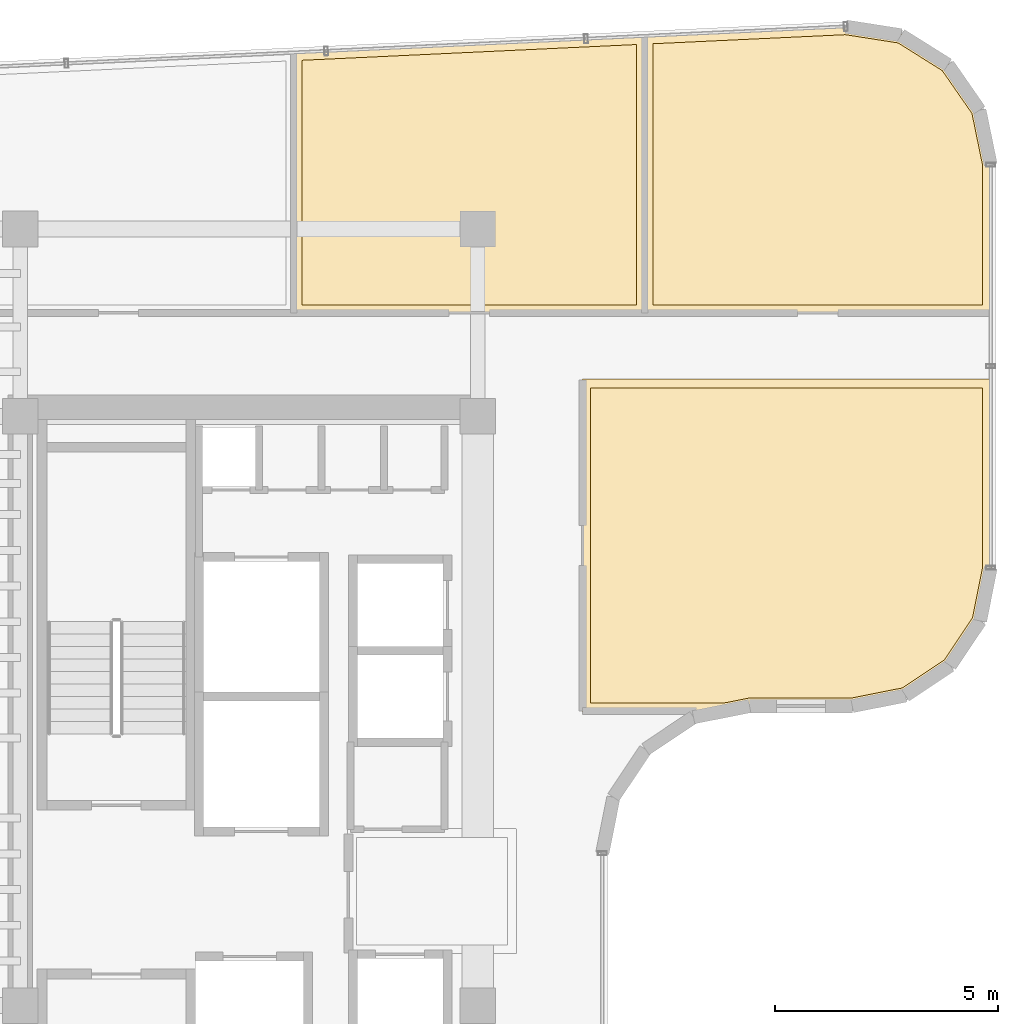
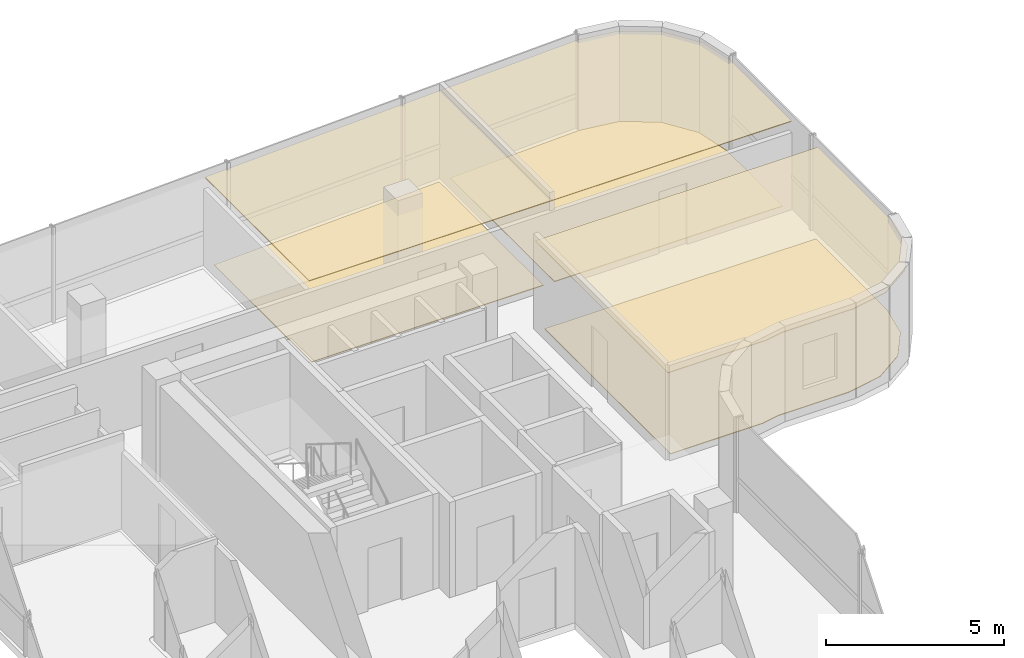
# One storey, part 21 of 21: 6 coverings.
"""IFC4 building model written with IfcOpenShell, lengths in metres."""

from ifc_helpers import new_model, si_unit, direction, frame, origin, place, context, subcontext, project, spatial, polyline, outline, extrude, material, layer, layer_set, type_object, element, save


model = new_model("IFC4")

# Units and contexts
model_context = context("Model", 3, precision=1e-05, world=origin(), true_north=direction((0.0, 1.0)))
body_context = subcontext(model_context, "Body", "Model", "MODEL_VIEW")
ifc_project = project(units=[si_unit("LENGTHUNIT", "METRE"), si_unit("AREAUNIT", "SQUARE_METRE"), si_unit("VOLUMEUNIT", "CUBIC_METRE"), si_unit("PLANEANGLEUNIT", "RADIAN"), si_unit("MASSUNIT", "GRAM", prefix="KILO")], contexts=[model_context])

# Site, building, storey
site_placement = place(None, origin())
site = spatial("IfcSite", under=ifc_project, at=site_placement, CompositionType="ELEMENT")
building_placement = place(site_placement, origin())
building = spatial("IfcBuilding", under=site, at=building_placement, Name="Valdorenza Pilgrim Sanctuary Tower", CompositionType="ELEMENT")
storey_placement = place(building_placement, frame((0.0, 0.0, 258.0)))
storey = spatial("IfcBuildingStorey", under=building, at=storey_placement, Name="L67", CompositionType="ELEMENT", Elevation=258.0)

# Coverings
ifc_material_1 = material(Name="Micro-perforated acoustic mineral ceiling tile", Category="gypsum")
ifc_layer_1 = layer(ifc_material_1, 0.02490234375, Name="Micro-perforated acoustic mineral ceiling tile")
ifc_layer_set_1 = layer_set([ifc_layer_1], Name="Micro-perforated acoustic mineral ceiling tile")
covering_type_1 = type_object("IfcCoveringType", Name="COV-CLG-ACU", PredefinedType="CEILING", material=ifc_layer_set_1)
covering_1_placement = place(storey_placement, frame((0.0, 0.0, 2.9599609375)))
element("IfcCovering", 1, at=covering_1_placement, inside=storey, type_object=covering_type_1, Name="L67 Sanctuary Administration Office L67-N3 Acoustic Ceiling", PredefinedType="CEILING", context=body_context, shape_type="SweptSolid", body=[
    extrude(outline(polyline([(-16.532958984375, 18.748779296875), (-16.532958984375, 18.749755859375), (-16.53271484375, 18.751220703125), (-16.53271484375, 18.752685546875), (-16.531982421875, 18.75390625), (-16.531494140625, 18.75537109375), (-16.531005859375, 18.756591796875), (-16.530029296875, 18.7578125), (-16.529052734375, 18.759033203125), (-16.528076171875, 18.760009765625), (-16.52685546875, 18.760986328125), (-16.525634765625, 18.76171875), (-16.5244140625, 18.762451171875), (-16.52294921875, 18.76318359375), (-16.521484375, 18.763427734375), (-16.520263671875, 18.763916015625), (-16.518798828125, 18.763916015625), (-8.66064453125, 19.134521484375), (-8.6591796875, 19.134521484375), (-8.65771484375, 19.13427734375), (-8.65625, 19.1337890625), (-8.65478515625, 19.133544921875), (-8.6533203125, 19.1328125), (-8.652099609375, 19.132080078125), (-8.65087890625, 19.131103515625), (-8.649658203125, 19.13037109375), (-8.648681640625, 19.129150390625), (-8.647705078125, 19.1279296875), (-8.64697265625, 19.126708984375), (-8.646240234375, 19.125244140625), (-8.645751953125, 19.123779296875), (-8.645263671875, 19.122314453125), (-8.64501953125, 19.120849609375), (-8.64501953125, 19.119384765625), (-8.64501953125, 12.919921875), (-8.64501953125, 12.91845703125), (-8.645263671875, 12.9169921875), (-8.6455078125, 12.91552734375), (-8.64599609375, 12.914306640625), (-8.646728515625, 12.912841796875), (-8.6474609375, 12.91162109375), (-8.6484375, 12.910400390625), (-8.6494140625, 12.909423828125), (-8.650390625, 12.908447265625), (-8.651611328125, 12.907470703125), (-8.65283203125, 12.90673828125), (-8.654296875, 12.906005859375), (-8.655517578125, 12.905517578125), (-8.656982421875, 12.9052734375), (-8.658447265625, 12.905029296875), (-8.659912109375, 12.905029296875), (-16.51806640625, 12.905029296875), (-16.51953125, 12.905029296875), (-16.52099609375, 12.9052734375), (-16.5224609375, 12.905517578125), (-16.523681640625, 12.906005859375), (-16.525146484375, 12.90673828125), (-16.5263671875, 12.907470703125), (-16.527587890625, 12.908447265625), (-16.528564453125, 12.909423828125), (-16.529541015625, 12.910400390625), (-16.530517578125, 12.91162109375), (-16.53125, 12.912841796875), (-16.531982421875, 12.914306640625), (-16.532470703125, 12.91552734375), (-16.53271484375, 12.9169921875), (-16.532958984375, 12.91845703125), (-16.532958984375, 12.919921875), (-16.532958984375, 18.748779296875), (-16.532958984375, 18.748779296875)])), origin(), (0.0, 0.0, 1.0), 0.025146484375),
])
covering_2_placement = place(storey_placement, frame((0.0, 0.0, 2.9599609375)))
element("IfcCovering", 2, at=covering_2_placement, inside=storey, type_object=covering_type_1, Name="L67 Sanctuary Administration Office L67-N4 Acoustic Ceiling", PredefinedType="CEILING", context=body_context, shape_type="SweptSolid", body=[
    extrude(outline(polyline([(-8.673095703125, 19.119384765625), (-8.673095703125, 19.1201171875), (-8.6728515625, 19.12158203125), (-8.672607421875, 19.123046875), (-8.672119140625, 19.12451171875), (-8.671630859375, 19.1259765625), (-8.6708984375, 19.127197265625), (-8.670166015625, 19.12841796875), (-8.669189453125, 19.129638671875), (-8.668212890625, 19.130615234375), (-8.6669921875, 19.131591796875), (-8.665771484375, 19.13232421875), (-8.664306640625, 19.133056640625), (-8.6630859375, 19.133544921875), (-8.66162109375, 19.134033203125), (-8.66015625, 19.13427734375), (-8.65869140625, 19.134521484375), (-4.157470703125, 19.3466796875), (-4.156005859375, 19.3466796875), (-4.154296875, 19.346435546875), (-2.91748046875, 19.153076171875), (-2.916015625, 19.152587890625), (-2.91455078125, 19.15234375), (-2.9130859375, 19.151611328125), (-2.911865234375, 19.15087890625), (-1.860595703125, 18.492431640625), (-1.859619140625, 18.49169921875), (-1.8583984375, 18.490478515625), (-1.857421875, 18.489501953125), (-1.8564453125, 18.48828125), (-1.149169921875, 17.46923828125), (-1.148193359375, 17.468017578125), (-1.147705078125, 17.466552734375), (-1.147216796875, 17.465087890625), (-1.146728515625, 17.463623046875), (-0.895263671875, 16.237548828125), (-0.89501953125, 16.236083984375), (-0.89501953125, 16.234375), (-0.89501953125, 12.919921875), (-0.89501953125, 12.91845703125), (-0.895263671875, 12.9169921875), (-0.8955078125, 12.91552734375), (-0.89599609375, 12.914306640625), (-0.896728515625, 12.912841796875), (-0.8974609375, 12.91162109375), (-0.8984375, 12.910400390625), (-0.8994140625, 12.909423828125), (-0.900390625, 12.908447265625), (-0.901611328125, 12.907470703125), (-0.90283203125, 12.90673828125), (-0.904296875, 12.906005859375), (-0.905517578125, 12.905517578125), (-0.906982421875, 12.9052734375), (-0.908447265625, 12.905029296875), (-0.909912109375, 12.905029296875), (-8.657958984375, 12.905029296875), (-8.659423828125, 12.905029296875), (-8.660888671875, 12.9052734375), (-8.662353515625, 12.905517578125), (-8.663818359375, 12.906005859375), (-8.6650390625, 12.90673828125), (-8.666259765625, 12.907470703125), (-8.66748046875, 12.908447265625), (-8.668701171875, 12.909423828125), (-8.669677734375, 12.910400390625), (-8.67041015625, 12.91162109375), (-8.671142578125, 12.912841796875), (-8.671875, 12.914306640625), (-8.67236328125, 12.91552734375), (-8.672607421875, 12.9169921875), (-8.6728515625, 12.91845703125), (-8.673095703125, 12.919921875), (-8.673095703125, 19.119384765625), (-8.673095703125, 19.119384765625)])), origin(), (0.0, 0.0, 1.0), 0.025146484375),
])
covering_3_placement = place(storey_placement, frame((0.0, 0.0, 2.9599609375)))
element("IfcCovering", 3, at=covering_3_placement, inside=storey, type_object=covering_type_1, Name="L67 Pilgrim Scholar Office L67-E1 Acoustic Ceiling", PredefinedType="CEILING", context=body_context, shape_type="SweptSolid", body=[
    extrude(outline(polyline([(-10.06494140625, 11.419921875), (-10.06494140625, 11.42138671875), (-10.064697265625, 11.4228515625), (-10.064453125, 11.42431640625), (-10.06396484375, 11.42578125), (-10.063232421875, 11.427001953125), (-10.0625, 11.42822265625), (-10.0615234375, 11.429443359375), (-10.060546875, 11.4306640625), (-10.0595703125, 11.431640625), (-10.058349609375, 11.4326171875), (-10.05712890625, 11.43310546875), (-10.0556640625, 11.433837890625), (-10.054443359375, 11.434326171875), (-10.052978515625, 11.434814453125), (-10.051513671875, 11.434814453125), (-10.050048828125, 11.43505859375), (-0.909912109375, 11.43505859375), (-0.908447265625, 11.434814453125), (-0.906982421875, 11.434814453125), (-0.905517578125, 11.434326171875), (-0.904296875, 11.433837890625), (-0.90283203125, 11.43310546875), (-0.901611328125, 11.4326171875), (-0.900390625, 11.431640625), (-0.8994140625, 11.4306640625), (-0.8984375, 11.429443359375), (-0.8974609375, 11.42822265625), (-0.896728515625, 11.427001953125), (-0.89599609375, 11.42578125), (-0.8955078125, 11.42431640625), (-0.895263671875, 11.4228515625), (-0.89501953125, 11.42138671875), (-0.89501953125, 11.419921875), (-0.89501953125, 7.210693359375), (-0.89501953125, 7.20947265625), (-0.895263671875, 7.2080078125), (-1.132568359375, 6.015380859375), (-1.1328125, 6.013916015625), (-1.13330078125, 6.0126953125), (-1.134033203125, 6.01123046875), (-1.134765625, 6.010009765625), (-1.80419921875, 5.00830078125), (-1.804931640625, 5.007080078125), (-1.805908203125, 5.006103515625), (-1.80712890625, 5.0048828125), (-1.808349609375, 5.004150390625), (-2.81005859375, 4.334716796875), (-2.811279296875, 4.333984375), (-2.8125, 4.33349609375), (-2.81396484375, 4.3330078125), (-2.8154296875, 4.33251953125), (-4.0078125, 4.09521484375), (-4.009521484375, 4.09521484375), (-4.0107421875, 4.094970703125), (-6.299560546875, 4.094970703125), (-6.309326171875, 4.094482421875), (-6.31884765625, 4.093017578125), (-6.86083984375, 3.9853515625), (-6.8623046875, 3.985107421875), (-6.86376953125, 3.985107421875), (-10.050048828125, 3.985107421875), (-10.051513671875, 3.985107421875), (-10.052978515625, 3.9853515625), (-10.054443359375, 3.985595703125), (-10.0556640625, 3.986083984375), (-10.05712890625, 3.98681640625), (-10.058349609375, 3.987548828125), (-10.0595703125, 3.98828125), (-10.060546875, 3.989501953125), (-10.0615234375, 3.990478515625), (-10.0625, 3.99169921875), (-10.063232421875, 3.992919921875), (-10.06396484375, 3.994384765625), (-10.064453125, 3.99560546875), (-10.064697265625, 3.9970703125), (-10.06494140625, 3.99853515625), (-10.06494140625, 4.0), (-10.06494140625, 11.419921875)])), origin(), (0.0, 0.0, 1.0), 0.025146484375),
])
ifc_material_2 = material(Name="Honed travertine stone flooring", Category="masonry")
ifc_layer_2 = layer(ifc_material_2, 0.030029296875, Name="Honed travertine stone flooring")
ifc_layer_set_2 = layer_set([ifc_layer_2], Name="Honed travertine stone flooring")
covering_type_2 = type_object("IfcCoveringType", Name="COV-FLR-TRV", PredefinedType="FLOORING", material=ifc_layer_set_2)
covering_4_placement = place(storey_placement, origin())
element("IfcCovering", 4, at=covering_4_placement, inside=storey, type_object=covering_type_2, Name="L67 Sanctuary Administration Office L67-N3 Flooring", PredefinedType="FLOORING", context=body_context, shape_type="SweptSolid", body=[
    extrude(outline(polyline([(-16.337890625, 13.10009765625), (-16.337890625, 18.5771484375), (-8.840087890625, 18.9306640625), (-8.840087890625, 13.10009765625), (-16.337890625, 13.10009765625)])), origin(), (0.0, 0.0, 1.0), 0.02490234375),
])
covering_5_placement = place(storey_placement, origin())
element("IfcCovering", 5, at=covering_5_placement, inside=storey, type_object=covering_type_2, Name="L67 Sanctuary Administration Office L67-N4 Flooring", PredefinedType="FLOORING", context=body_context, shape_type="SweptSolid", body=[
    extrude(outline(polyline([(-4.16650390625, 19.15087890625), (-2.984130859375, 18.966064453125), (-1.99560546875, 18.3466796875), (-1.330322265625, 17.388427734375), (-1.090087890625, 16.21630859375), (-1.090087890625, 13.10009765625), (-8.47802734375, 13.10009765625), (-8.47802734375, 18.94775390625), (-4.16650390625, 19.15087890625)])), origin(), (0.0, 0.0, 1.0), 0.02490234375),
])
covering_6_placement = place(storey_placement, origin())
element("IfcCovering", 6, at=covering_6_placement, inside=storey, type_object=covering_type_2, Name="L67 Pilgrim Scholar Office L67-E1 Flooring", PredefinedType="FLOORING", context=body_context, shape_type="SweptSolid", body=[
    extrude(outline(polyline([(-9.8701171875, 11.239990234375), (-1.090087890625, 11.239990234375), (-1.090087890625, 7.228515625), (-1.31689453125, 6.088623046875), (-1.9462890625, 5.146484375), (-2.888671875, 4.516845703125), (-4.028564453125, 4.2900390625), (-6.300048828125, 4.2900390625), (-6.308837890625, 4.289794921875), (-6.319580078125, 4.289306640625), (-6.337158203125, 4.28759765625), (-6.347900390625, 4.285888671875), (-6.356689453125, 4.284423828125), (-6.881591796875, 4.179931640625), (-9.8701171875, 4.179931640625), (-9.8701171875, 11.239990234375)])), origin(), (0.0, 0.0, 1.0), 0.02490234375),
])

save(model, "model.ifc")
